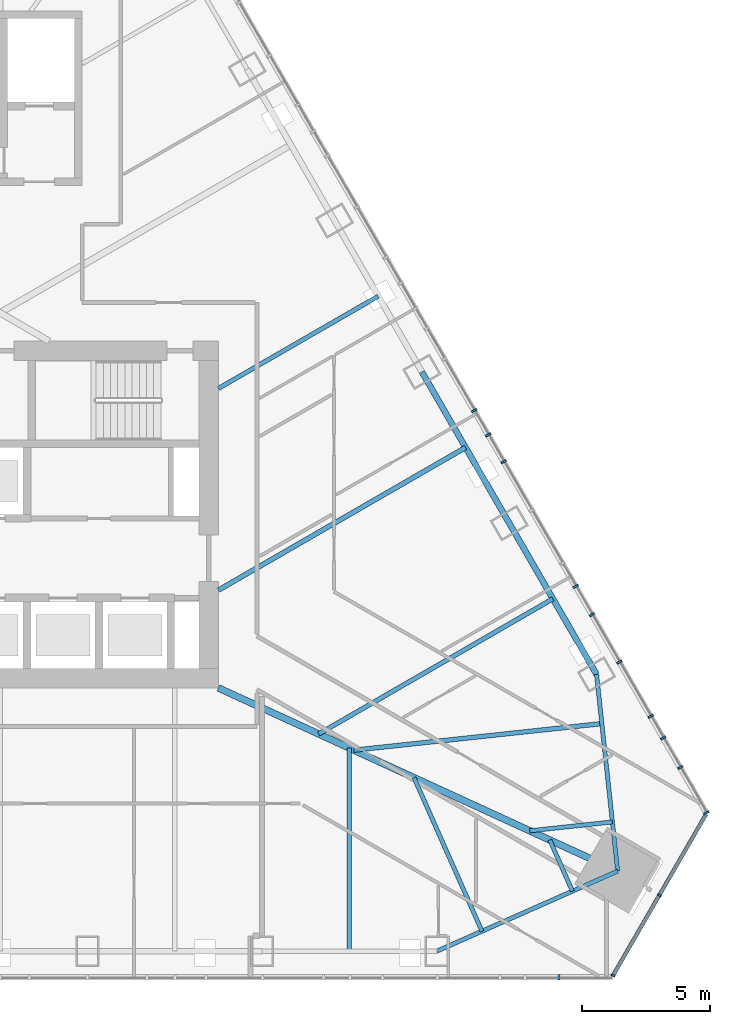
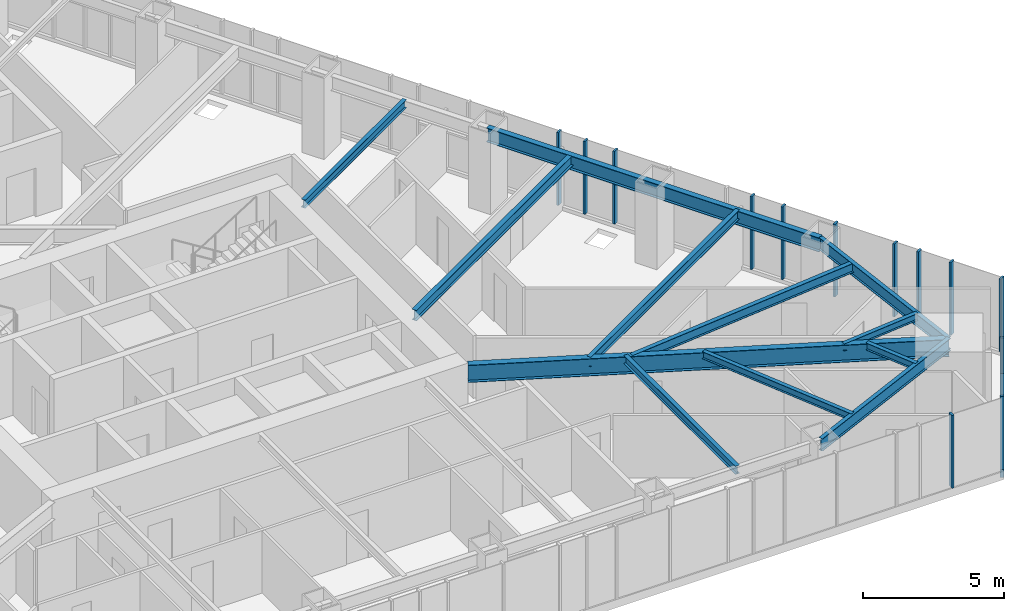
# One storey, part 7 of 19: 15 members, 12 beams, 3 elements without a shape of their own.
"""IFC4 building model written with IfcOpenShell, lengths in metres."""

import ifcopenshell
import ifcopenshell.guid

model = None  # the IFC model being written
_history = None  # IfcOwnerHistory: only IFC2X3 demands one
_inside = {}  # id of a spatial element -> (the spatial element, [elements in it])
_under = {}  # id of a project, library or spatial element -> (it, [spatial elements below it])
_declared = {}  # id of a project -> (the project, [libraries it declares])
_typed = {}  # id of a type object -> (the type object, [elements of that type])
_made_of = {}  # id of a material, layer set ... -> (it, [elements and type objects made of it])


def new_model(schema):
    """Start an empty IFC model of exactly this schema.

    Asked for "IFC4X3", IfcOpenShell would pick the latest addendum, in which some entities
    have other attributes; the version numbers below select the first issue.
    IFC2X3 requires an IfcOwnerHistory on every rooted entity: one is made here for all.
    """
    global model, _history
    if schema == "IFC4X3":
        model = ifcopenshell.file(schema_version=(4, 3, 0, 0))
    else:
        model = ifcopenshell.file(schema=schema)
    _inside.clear()
    _under.clear()
    _declared.clear()
    _typed.clear()
    _made_of.clear()
    _history = None
    if model.schema == "IFC2X3":
        org = make("IfcOrganization", Name="unknown")
        user = make(
            "IfcPersonAndOrganization",
            ThePerson=make("IfcPerson", FamilyName="unknown"),
            TheOrganization=org,
        )
        app = make(
            "IfcApplication",
            ApplicationDeveloper=org,
            Version="unknown",
            ApplicationFullName="unknown",
            ApplicationIdentifier="unknown",
        )
        _history = make(
            "IfcOwnerHistory",
            OwningUser=user,
            OwningApplication=app,
            ChangeAction="ADDED",
            CreationDate=0,
        )
    return model


def make(cls, **values):
    """One entity of the class cls with the attributes given. An attribute that is None is left unset."""
    return model.create_entity(
        cls, **{name: value for name, value in values.items() if value is not None}
    )


def rooted(cls, **values):
    """An entity with a GlobalId (a new one), such as an element, a storey or a relation."""
    return make(cls, GlobalId=ifcopenshell.guid.new(), OwnerHistory=_history, **values)


def si_unit(unit_type, name, prefix=None):
    """IfcSIUnit, for example si_unit("LENGTHUNIT", "METRE", prefix="MILLI")."""
    return make("IfcSIUnit", UnitType=unit_type, Prefix=prefix, Name=name)


def assignment(units):
    """IfcUnitAssignment: the units of a project."""
    return None if units is None else make("IfcUnitAssignment", Units=units)


def point(xyz):
    """IfcCartesianPoint."""
    return None if xyz is None else make("IfcCartesianPoint", Coordinates=xyz)


def direction(xyz):
    """IfcDirection."""
    return None if xyz is None else make("IfcDirection", DirectionRatios=xyz)


def frame(location, z_axis=None, x_axis=None):
    """IfcAxis2Placement3D, a coordinate frame: its origin and axes. An axis left out is left unset."""
    return make(
        "IfcAxis2Placement3D",
        Location=point(location),
        Axis=direction(z_axis),
        RefDirection=direction(x_axis),
    )


def frame_2d(location, x_axis=None):
    """IfcAxis2Placement2D, a coordinate frame in the plane: its origin and x axis."""
    return make(
        "IfcAxis2Placement2D", Location=point(location), RefDirection=direction(x_axis)
    )


def origin():
    """The frame at (0, 0, 0) with its axes left unset."""
    return frame((0.0, 0.0, 0.0))


def origin_2d():
    """The frame at (0, 0) in the plane with its x axis left unset."""
    return frame_2d((0.0, 0.0))


def place(relative_to, where):
    """IfcLocalPlacement: puts the frame where relative to a parent placement (None: the world)."""
    return make(
        "IfcLocalPlacement", PlacementRelTo=relative_to, RelativePlacement=where
    )


def context(
    kind, dimensions, precision=None, world=None, true_north=None, identifier=None
):
    """IfcGeometricRepresentationContext, for example the 3D "Model" context."""
    return make(
        "IfcGeometricRepresentationContext",
        ContextIdentifier=identifier,
        ContextType=kind,
        CoordinateSpaceDimension=dimensions,
        Precision=precision,
        WorldCoordinateSystem=world,
        TrueNorth=true_north,
    )


def subcontext(parent, identifier, kind, view, scale=None):
    """IfcGeometricRepresentationSubContext, for example "Body" below "Model"."""
    return make(
        "IfcGeometricRepresentationSubContext",
        ContextIdentifier=identifier,
        ContextType=kind,
        ParentContext=parent,
        TargetScale=scale,
        TargetView=view,
    )


def project(units=None, contexts=None):
    """IfcProject with its units and contexts."""
    return rooted(
        "IfcProject",
        Name="project",
        RepresentationContexts=contexts,
        UnitsInContext=assignment(units),
    )


def spatial(cls, under=None, at=None, **own):
    """A site, building, storey or space (cls), placed at a placement, below another one or the project."""
    s = rooted(cls, ObjectPlacement=at, **own)
    if under is not None:
        _under.setdefault(under.id(), (under, []))[1].append(s)
    return s


def profile(cls, at=None, kind="AREA", **sizes):
    """A parametric profile (cls). Its sizes go by their IFC names, for example OverallWidth=200.0."""
    return make(cls, ProfileType=kind, Position=at, **sizes)


def rectangle(**sizes):
    """IfcRectangleProfileDef."""
    return profile("IfcRectangleProfileDef", **sizes)


def i_section(**sizes):
    """IfcIShapeProfileDef."""
    return profile("IfcIShapeProfileDef", **sizes)


def extrude(swept, where, along, depth):
    """IfcExtrudedAreaSolid: the profile swept, set in the frame where, extruded along a direction by depth."""
    return make(
        "IfcExtrudedAreaSolid",
        SweptArea=swept,
        Position=where,
        ExtrudedDirection=direction(along),
        Depth=depth,
    )


def shape(context_of_items, identifier, shape_type, items):
    """IfcShapeRepresentation: the items that make up one representation, for example the "Body"."""
    return make(
        "IfcShapeRepresentation",
        ContextOfItems=context_of_items,
        RepresentationIdentifier=identifier,
        RepresentationType=shape_type,
        Items=items,
    )


def material(Name=None, Category=None):
    """IfcMaterial."""
    return make("IfcMaterial", Name=Name, Category=Category)


def layer(
    of_material, thickness, ventilated=None, Name=None, Category=None, Priority=None
):
    """IfcMaterialLayer: one layer of a wall or slab, of a material (None: an air gap)."""
    return make(
        "IfcMaterialLayer",
        Material=of_material,
        LayerThickness=thickness,
        IsVentilated=ventilated,
        Name=Name,
        Category=Category,
        Priority=Priority,
    )


def layer_set(layers, Name=None):
    """IfcMaterialLayerSet."""
    return make("IfcMaterialLayerSet", MaterialLayers=layers, LayerSetName=Name)


def material_profile(
    of_material, cross_section, Name=None, Category=None, Priority=None
):
    """IfcMaterialProfile: a cross section and its material."""
    return make(
        "IfcMaterialProfile",
        Name=Name,
        Material=of_material,
        Profile=cross_section,
        Priority=Priority,
        Category=Category,
    )


def profile_set(profiles, Name=None, composite=None):
    """IfcMaterialProfileSet."""
    return make(
        "IfcMaterialProfileSet",
        Name=Name,
        MaterialProfiles=profiles,
        CompositeProfile=composite,
    )


def made_of(thing, what):
    """Note that an element or type object is made of a material, layer set ...; save() writes the relation."""
    if what is not None:
        _made_of.setdefault(what.id(), (what, []))[1].append(thing)
    return thing


def type_object(cls, material=None, **own):
    """A type object (cls), such as IfcWallType, which elements share."""
    return made_of(rooted(cls, **own), material)


def element(
    cls,
    number,
    at=None,
    inside=None,
    cuts=None,
    type_object=None,
    material=None,
    context=None,
    identifier="Body",
    shape_type=None,
    held_by="IfcProductDefinitionShape",
    body=None,
    shapes=None,
    **own,
):
    """One element of the class cls, such as IfcWall. Its Tag is "e" and its number.

    at: its placement. inside: the storey or other place that contains it. cuts: it is an
    opening in that element (IfcRelVoidsElement). A single representation is given by context,
    identifier, shape_type and body (its items); several are given by shapes. held_by: the class
    of the entity that holds the representations. save() writes the other relations.
    """
    e = rooted(cls, Tag="e%d" % number, ObjectPlacement=at, **own)
    if body is not None:
        shapes = [shape(context, identifier, shape_type, body)]
    if shapes is not None:
        e.Representation = make(held_by, Representations=shapes)
    if inside is not None:
        _inside.setdefault(inside.id(), (inside, []))[1].append(e)
    if cuts is not None:
        rooted(
            "IfcRelVoidsElement", RelatingBuildingElement=cuts, RelatedOpeningElement=e
        )
    if type_object is not None:
        _typed.setdefault(type_object.id(), (type_object, []))[1].append(e)
    return made_of(e, material)


def aggregate(whole, parts):
    """IfcRelAggregates: a whole, such as a stair, and the parts it consists of."""
    return rooted("IfcRelAggregates", RelatingObject=whole, RelatedObjects=parts)


def save(model, path):
    """Write the relations noted so far, then the file.

    IfcRelAggregates (storeys below a building ...), IfcRelContainedInSpatialStructure (elements
    in a storey), IfcRelDefinesByType, IfcRelAssociatesMaterial and IfcRelDeclares: one each for
    every whole, place, type object, material and project.
    """
    for whole, parts in _under.values():
        aggregate(whole, parts)
    for where, things in _inside.values():
        rooted(
            "IfcRelContainedInSpatialStructure",
            RelatedElements=things,
            RelatingStructure=where,
        )
    for kind, things in _typed.values():
        rooted("IfcRelDefinesByType", RelatedObjects=things, RelatingType=kind)
    for what, things in _made_of.values():
        rooted("IfcRelAssociatesMaterial", RelatedObjects=things, RelatingMaterial=what)
    for by, libraries in _declared.values():
        rooted("IfcRelDeclares", RelatingContext=by, RelatedDefinitions=libraries)
    model.write(path)


model = new_model("IFC4")

# Units and contexts
model_context = context("Model", 3, precision=1e-05, world=origin(), true_north=direction((0.0, 1.0)))
body_context = subcontext(model_context, "Body", "Model", "MODEL_VIEW")
ifc_project = project(units=[si_unit("LENGTHUNIT", "METRE"), si_unit("AREAUNIT", "SQUARE_METRE"), si_unit("VOLUMEUNIT", "CUBIC_METRE"), si_unit("PLANEANGLEUNIT", "RADIAN"), si_unit("MASSUNIT", "GRAM", prefix="KILO")], contexts=[model_context])

# Site, building, storey
site_placement = place(None, origin())
site = spatial("IfcSite", under=ifc_project, at=site_placement, CompositionType="ELEMENT")
building_placement = place(site_placement, origin())
building = spatial("IfcBuilding", under=site, at=building_placement, Name="Firuza Gate Tower and Library", CompositionType="ELEMENT")
storey_placement = place(building_placement, frame((0.0, 0.0, 256.60009765625)))
storey = spatial("IfcBuildingStorey", under=building, at=storey_placement, Name="L60", CompositionType="ELEMENT", Elevation=256.60009765625)

# Curtain wall, members
ifc_material_1 = material(Name="Aluminium 6063-T6", Category="aluminium")
ifc_layer_1 = layer(ifc_material_1, 0.14990234375)
ifc_layer_set_1 = layer_set([ifc_layer_1], Name="Corner curtain wall, chamfers")
curtain_wall_type_1 = type_object("IfcCurtainWallType", Name="Corner curtain wall, chamfers", PredefinedType="NOTDEFINED", material=ifc_layer_set_1)
placement = place(storey_placement, origin())
curtain_wall_1 = element("IfcCurtainWall", 1, at=placement, inside=storey, type_object=curtain_wall_type_1, Name="CW4 L60 SE corner", PredefinedType="NOTDEFINED")
ifc_material_2 = material(Name="Aluminium 6063-T6", Category="aluminium")
ifc_material_profile_1 = material_profile(ifc_material_2, rectangle(XDim=0.14990234375, YDim=0.080078125, at=origin_2d()))
ifc_profile_set_1 = profile_set([ifc_material_profile_1], Name="Aluminium 6063-T6")
member_type_1 = type_object("IfcMemberType", Name="Curtain wall mullion 80x150", PredefinedType="MULLION", material=ifc_profile_set_1)
member_1_placement = place(storey_placement, frame((98.86328125, 57.061767578125, 0.14990234375), z_axis=(0.0, 0.0, 1.0), x_axis=(-0.866025403784, 0.5, 0.0)))
member_1 = element("IfcMember", 2, at=member_1_placement, type_object=member_type_1, Name="Mullion", PredefinedType="MULLION", context=body_context, shape_type="SweptSolid", body=[
    extrude(rectangle(XDim=0.14990234375, YDim=0.080078125, at=origin_2d()), origin(), (0.0, 0.0, 1.0), 3.14990234375),
])
member_2_placement = place(storey_placement, frame((100.6650390625, 60.182373046875, 0.14990234375), z_axis=(0.0, 0.0, 1.0), x_axis=(-0.866025403784, 0.5, 0.0)))
member_2 = element("IfcMember", 3, at=member_2_placement, type_object=member_type_1, Name="Mullion", PredefinedType="MULLION", context=body_context, shape_type="SweptSolid", body=[
    extrude(rectangle(XDim=0.14990234375, YDim=0.080078125, at=origin_2d()), origin(), (0.0, 0.0, 1.0), 3.14990234375),
])

# Curtain wall, member
ifc_material_3 = material(Name="Aluminium 6063-T6", Category="aluminium")
ifc_layer_2 = layer(ifc_material_3, 0.14990234375)
ifc_layer_set_2 = layer_set([ifc_layer_2], Name="Unitised curtain wall, residences")
curtain_wall_type_2 = type_object("IfcCurtainWallType", Name="Unitised curtain wall, residences", PredefinedType="NOTDEFINED", material=ifc_layer_set_2)
curtain_wall_2 = element("IfcCurtainWall", 4, at=placement, inside=storey, type_object=curtain_wall_type_2, Name="CW3 L60 S face", PredefinedType="NOTDEFINED")
ifc_material_4 = material(Name="Aluminium 6063-T6", Category="aluminium")
ifc_material_profile_2 = material_profile(ifc_material_4, rectangle(XDim=0.219970703125, YDim=0.080078125, at=origin_2d()))
ifc_profile_set_2 = profile_set([ifc_material_profile_2], Name="Aluminium 6063-T6")
member_type_2 = type_object("IfcMemberType", Name="Curtain wall mullion 80x220", PredefinedType="MULLION", material=ifc_profile_set_2)
member_3_placement = place(storey_placement, frame((96.76416015625, 56.9921875, 0.14990234375), z_axis=(0.0, 0.0, 1.0), x_axis=(0.0, 1.0, 0.0)))
member_3 = element("IfcMember", 5, at=member_3_placement, type_object=member_type_2, Name="Mullion", PredefinedType="MULLION", context=body_context, shape_type="SweptSolid", body=[
    extrude(rectangle(XDim=0.219970703125, YDim=0.080078125, at=origin_2d()), origin(), (0.0, 0.0, 1.0), 3.14990234375),
])
aggregate(curtain_wall_2, [member_3])

# Curtain wall, members
curtain_wall_3 = element("IfcCurtainWall", 6, at=placement, inside=storey, type_object=curtain_wall_type_2, Name="CW3 L60 E face", PredefinedType="NOTDEFINED")
member_4_placement = place(storey_placement, frame((102.496826171875, 63.3896484375, 0.14990234375), z_axis=(0.0, 0.0, 1.0), x_axis=(-0.866025403784, -0.5, 0.0)))
member_4 = element("IfcMember", 7, at=member_4_placement, type_object=member_type_2, Name="Mullion", PredefinedType="MULLION", context=body_context, shape_type="SweptSolid", body=[
    extrude(rectangle(XDim=0.219970703125, YDim=0.080078125, at=origin_2d()), origin(), (0.0, 0.0, 1.0), 3.14990234375),
])
member_5_placement = place(storey_placement, frame((100.813720703125, 66.304931640625, 0.14990234375), z_axis=(0.0, 0.0, 1.0), x_axis=(-0.866025403784, -0.5, 0.0)))
member_5 = element("IfcMember", 8, at=member_5_placement, type_object=member_type_2, Name="Mullion", PredefinedType="MULLION", context=body_context, shape_type="SweptSolid", body=[
    extrude(rectangle(XDim=0.219970703125, YDim=0.080078125, at=origin_2d()), origin(), (0.0, 0.0, 1.0), 3.14990234375),
])
member_6_placement = place(storey_placement, frame((99.11083984375, 69.254638671875, 0.14990234375), z_axis=(0.0, 0.0, 1.0), x_axis=(-0.866025403784, -0.5, 0.0)))
member_6 = element("IfcMember", 9, at=member_6_placement, type_object=member_type_2, Name="Mullion", PredefinedType="MULLION", context=body_context, shape_type="SweptSolid", body=[
    extrude(rectangle(XDim=0.219970703125, YDim=0.080078125, at=origin_2d()), origin(), (0.0, 0.0, 1.0), 3.14990234375),
])
member_7_placement = place(storey_placement, frame((97.40771484375, 72.20458984375, 0.14990234375), z_axis=(0.0, 0.0, 1.0), x_axis=(-0.866025403784, -0.5, 0.0)))
member_7 = element("IfcMember", 10, at=member_7_placement, type_object=member_type_2, Name="Mullion", PredefinedType="MULLION", context=body_context, shape_type="SweptSolid", body=[
    extrude(rectangle(XDim=0.219970703125, YDim=0.080078125, at=origin_2d()), origin(), (0.0, 0.0, 1.0), 3.14990234375),
])
member_8_placement = place(storey_placement, frame((94.00146484375, 78.104248046875, 0.14990234375), z_axis=(0.0, 0.0, 1.0), x_axis=(-0.866025403784, -0.5, 0.0)))
member_8 = element("IfcMember", 11, at=member_8_placement, type_object=member_type_2, Name="Mullion", PredefinedType="MULLION", context=body_context, shape_type="SweptSolid", body=[
    extrude(rectangle(XDim=0.219970703125, YDim=0.080078125, at=origin_2d()), origin(), (0.0, 0.0, 1.0), 3.14990234375),
])
member_9_placement = place(storey_placement, frame((101.477294921875, 65.15576171875, 0.14990234375), z_axis=(0.0, 0.0, 1.0), x_axis=(-0.866025403784, -0.5, 0.0)))
member_9 = element("IfcMember", 12, at=member_9_placement, type_object=member_type_2, Name="Mullion", PredefinedType="MULLION", context=body_context, shape_type="SweptSolid", body=[
    extrude(rectangle(XDim=0.219970703125, YDim=0.080078125, at=origin_2d()), origin(), (0.0, 0.0, 1.0), 3.14990234375),
])
member_10_placement = place(storey_placement, frame((100.32763671875, 67.147216796875, 0.14990234375), z_axis=(0.0, 0.0, 1.0), x_axis=(-0.866025403784, -0.5, 0.0)))
member_10 = element("IfcMember", 13, at=member_10_placement, type_object=member_type_2, Name="Mullion", PredefinedType="MULLION", context=body_context, shape_type="SweptSolid", body=[
    extrude(rectangle(XDim=0.219970703125, YDim=0.080078125, at=origin_2d()), origin(), (0.0, 0.0, 1.0), 3.14990234375),
])
member_11_placement = place(storey_placement, frame((98.04150390625, 71.1064453125, 0.14990234375), z_axis=(0.0, 0.0, 1.0), x_axis=(-0.866025403784, -0.5, 0.0)))
member_11 = element("IfcMember", 14, at=member_11_placement, type_object=member_type_2, Name="Mullion", PredefinedType="MULLION", context=body_context, shape_type="SweptSolid", body=[
    extrude(rectangle(XDim=0.219970703125, YDim=0.080078125, at=origin_2d()), origin(), (0.0, 0.0, 1.0), 3.14990234375),
])
member_12_placement = place(storey_placement, frame((94.60595703125, 77.057373046875, 0.14990234375), z_axis=(0.0, 0.0, 1.0), x_axis=(-0.866025403784, -0.5, 0.0)))
member_12 = element("IfcMember", 15, at=member_12_placement, type_object=member_type_2, Name="Mullion", PredefinedType="MULLION", context=body_context, shape_type="SweptSolid", body=[
    extrude(rectangle(XDim=0.219970703125, YDim=0.080078125, at=origin_2d()), origin(), (0.0, 0.0, 1.0), 3.14990234375),
])
member_13_placement = place(storey_placement, frame((93.4560546875, 79.048828125, 0.14990234375), z_axis=(0.0, 0.0, 1.0), x_axis=(-0.866025403784, -0.5, 0.0)))
member_13 = element("IfcMember", 16, at=member_13_placement, type_object=member_type_2, Name="Mullion", PredefinedType="MULLION", context=body_context, shape_type="SweptSolid", body=[
    extrude(rectangle(XDim=0.219970703125, YDim=0.080078125, at=origin_2d()), origin(), (0.0, 0.0, 1.0), 3.14990234375),
])
aggregate(curtain_wall_3, [member_4, member_5, member_6, member_7, member_8, member_9, member_10, member_11, member_12, member_13])

# Member
ifc_material_5 = material(Name="Aluminium 6063-T6", Category="aluminium")
ifc_material_profile_3 = material_profile(ifc_material_5, rectangle(XDim=0.14990234375, YDim=0.35009765625, at=origin_2d()))
ifc_profile_set_3 = profile_set([ifc_material_profile_3], Name="Aluminium 6063-T6")
member_type_3 = type_object("IfcMemberType", Name="Curtain wall transom 350x150", PredefinedType="USERDEFINED", material=ifc_profile_set_3)
member_14_placement = place(storey_placement, frame((98.84326171875, 57.027099609375, -0.025146484375), z_axis=(0.499991211061, 0.866030478021, 0.0), x_axis=(-0.866030478021, 0.499991211061, 0.0)))
member_14 = element("IfcMember", 17, at=member_14_placement, type_object=member_type_3, Name="Transom", ObjectType="TRANSOM", PredefinedType="USERDEFINED", context=body_context, shape_type="SweptSolid", body=[
    extrude(rectangle(XDim=0.14990234375, YDim=0.35009765625, at=origin_2d()), origin(), (0.0, 0.0, 1.0), 7.286865234375),
])

ifc_material_6 = material(Name="Aluminium 6063-T6", Category="aluminium")
ifc_material_profile_4 = material_profile(ifc_material_6, rectangle(XDim=0.14990234375, YDim=0.080078125, at=origin_2d()))
ifc_profile_set_4 = profile_set([ifc_material_profile_4], Name="Aluminium 6063-T6")
member_type_4 = type_object("IfcMemberType", Name="Curtain wall transom 80x150", PredefinedType="USERDEFINED", material=ifc_profile_set_4)
member_15_placement = place(storey_placement, frame((98.86328125, 57.061767578125, 1.724853515625), z_axis=(0.500015035186, 0.866016723041, 0.0), x_axis=(-0.866016723041, 0.500015035186, 0.0)))
member_15 = element("IfcMember", 18, at=member_15_placement, type_object=member_type_4, Name="Transom", ObjectType="TRANSOM", PredefinedType="USERDEFINED", context=body_context, shape_type="SweptSolid", body=[
    extrude(rectangle(XDim=0.14990234375, YDim=0.080078125, at=origin_2d()), origin(), (0.0, 0.0, 1.0), 3.5634765625),
])

aggregate(curtain_wall_1, [member_1, member_2, member_14, member_15])

# Beams
ifc_material_7 = material(Name="Steel S355", Category="steel")
ifc_material_profile_5 = material_profile(ifc_material_7, i_section(OverallWidth=0.1650390625, OverallDepth=0.31005859375, WebThickness=0.005859375, FlangeThickness=0.009765625, at=origin_2d()))
ifc_profile_set_5 = profile_set([ifc_material_profile_5], Name="Steel S355")
beam_type_1 = type_object("IfcBeamType", Name="W310x39 Floor beam", PredefinedType="JOIST", material=ifc_profile_set_5)
beam_1_placement = place(storey_placement, frame((93.76025390625, 58.781494140625, 3.14501953125), z_axis=(-0.404862345523, 0.914377646915, 0.0), x_axis=(-0.914377646915, -0.404862345523, 0.0)))
element("IfcBeam", 19, at=beam_1_placement, inside=storey, type_object=beam_type_1, Name="Floor beam L60 s30", PredefinedType="JOIST", context=body_context, shape_type="SweptSolid", body=[
    extrude(i_section(OverallWidth=0.1650390625, OverallDepth=0.31005859375, WebThickness=0.005859375, FlangeThickness=0.009765625, at=origin_2d()), origin(), (0.0, 0.0, 1.0), 6.534423828125),
])
beam_2_placement = place(storey_placement, frame((97.28076171875, 60.34033203125, 3.14501953125), z_axis=(-0.404848514382, 0.914383770855, 0.0), x_axis=(-0.914383770855, -0.404848514382, 0.0)))
element("IfcBeam", 20, at=beam_2_placement, inside=storey, type_object=beam_type_1, Name="Floor beam L60 s31", PredefinedType="JOIST", context=body_context, shape_type="SweptSolid", body=[
    extrude(i_section(OverallWidth=0.1650390625, OverallDepth=0.31005859375, WebThickness=0.005859375, FlangeThickness=0.009765625, at=origin_2d()), origin(), (0.0, 0.0, 1.0), 2.17822265625),
])
beam_3_placement = place(storey_placement, frame((98.8359375, 63.033935546875, 3.14501953125), z_axis=(-0.994311438284, -0.106511800745, 0.0), x_axis=(0.106511800745, -0.994311438284, 0.0)))
element("IfcBeam", 21, at=beam_3_placement, inside=storey, type_object=beam_type_1, Name="Floor beam L60 s40", PredefinedType="JOIST", context=body_context, shape_type="SweptSolid", body=[
    extrude(i_section(OverallWidth=0.1650390625, OverallDepth=0.31005859375, WebThickness=0.005859375, FlangeThickness=0.009765625, at=origin_2d()), origin(), (0.0, 0.0, 1.0), 3.234130859375),
])
ifc_material_8 = material(Name="Steel S355", Category="steel")
ifc_material_profile_6 = material_profile(ifc_material_8, i_section(OverallWidth=0.1708984375, OverallDepth=0.35498046875, WebThickness=0.007080078125, FlangeThickness=0.01171875, at=origin_2d()))
ifc_profile_set_6 = profile_set([ifc_material_profile_6], Name="Steel S355")
beam_type_2 = type_object("IfcBeamType", Name="W360x51 Floor beam", PredefinedType="JOIST", material=ifc_profile_set_6)
beam_4_placement = place(storey_placement, frame((88.60009765625, 58.002197265625, 3.122314453125), z_axis=(0.0, 1.0, 0.0), x_axis=(-1.0, 0.0, 0.0)))
element("IfcBeam", 22, at=beam_4_placement, inside=storey, type_object=beam_type_2, Name="Floor beam L60 s24", PredefinedType="JOIST", context=body_context, shape_type="SweptSolid", body=[
    extrude(i_section(OverallWidth=0.1708984375, OverallDepth=0.35498046875, WebThickness=0.007080078125, FlangeThickness=0.01171875, at=origin_2d()), origin(), (0.0, 0.0, 1.0), 7.907958984375),
])
beam_5_placement = place(storey_placement, frame((89.720458984375, 83.4990234375, 3.122314453125), z_axis=(-0.866015211635, -0.500017652905, 0.0), x_axis=(0.500017652905, -0.866015211635, 0.0)))
element("IfcBeam", 23, at=beam_5_placement, inside=storey, type_object=beam_type_2, Name="Floor beam L60 s52", PredefinedType="JOIST", context=body_context, shape_type="SweptSolid", body=[
    extrude(i_section(OverallWidth=0.1708984375, OverallDepth=0.35498046875, WebThickness=0.007080078125, FlangeThickness=0.01171875, at=origin_2d()), origin(), (0.0, 0.0, 1.0), 7.182861328125),
])
ifc_material_9 = material(Name="Steel S355", Category="steel")
ifc_material_profile_7 = material_profile(ifc_material_9, i_section(OverallWidth=0.177978515625, OverallDepth=0.406982421875, WebThickness=0.0078125, FlangeThickness=0.0126953125, at=origin_2d()))
ifc_profile_set_7 = profile_set([ifc_material_profile_7], Name="Steel S355")
beam_type_3 = type_object("IfcBeamType", Name="W410x60 Floor beam", PredefinedType="JOIST", material=ifc_profile_set_7)
beam_6_placement = place(storey_placement, frame((98.42578125, 66.8623046875, 3.096435546875), z_axis=(-0.994306107406, -0.106561553924, 0.0), x_axis=(0.106561553924, -0.994306107406, 0.0)))
element("IfcBeam", 24, at=beam_6_placement, inside=storey, type_object=beam_type_3, Name="Floor beam L60 s41", PredefinedType="JOIST", context=body_context, shape_type="SweptSolid", body=[
    extrude(i_section(OverallWidth=0.177978515625, OverallDepth=0.406982421875, WebThickness=0.0078125, FlangeThickness=0.0126953125, at=origin_2d()), origin(), (0.0, 0.0, 1.0), 9.70263671875),
])
beam_7_placement = place(storey_placement, frame((96.5205078125, 71.720947265625, 3.096435546875), z_axis=(-0.866024898077, -0.500000875909, 0.0), x_axis=(0.500000875909, -0.866024898077, 0.0)))
element("IfcBeam", 25, at=beam_7_placement, inside=storey, type_object=beam_type_3, Name="Floor beam L60 s50", PredefinedType="JOIST", context=body_context, shape_type="SweptSolid", body=[
    extrude(i_section(OverallWidth=0.177978515625, OverallDepth=0.406982421875, WebThickness=0.0078125, FlangeThickness=0.0126953125, at=origin_2d()), origin(), (0.0, 0.0, 1.0), 10.525390625),
])
ifc_material_10 = material(Name="Steel S355", Category="steel")
ifc_material_profile_8 = material_profile(ifc_material_10, i_section(OverallWidth=0.18994140625, OverallDepth=0.45703125, WebThickness=0.009033203125, FlangeThickness=0.014404296875, at=origin_2d()))
ifc_profile_set_8 = profile_set([ifc_material_profile_8], Name="Steel S355")
beam_type_4 = type_object("IfcBeamType", Name="W460x74 Floor beam", PredefinedType="JOIST", material=ifc_profile_set_8)
beam_8_placement = place(storey_placement, frame((93.12060546875, 77.60986328125, 3.0712890625), z_axis=(-0.866026019563, -0.499998933439, 0.0), x_axis=(0.499998933439, -0.866026019563, 0.0)))
element("IfcBeam", 26, at=beam_8_placement, inside=storey, type_object=beam_type_4, Name="Floor beam L60 s51", PredefinedType="JOIST", context=body_context, shape_type="SweptSolid", body=[
    extrude(i_section(OverallWidth=0.18994140625, OverallDepth=0.45703125, WebThickness=0.009033203125, FlangeThickness=0.014404296875, at=origin_2d()), origin(), (0.0, 0.0, 1.0), 11.10888671875),
])
ifc_material_11 = material(Name="Steel S355", Category="steel")
ifc_material_profile_9 = material_profile(ifc_material_11, i_section(OverallWidth=0.166015625, OverallDepth=0.534912109375, WebThickness=0.01025390625, FlangeThickness=0.0166015625, at=origin_2d()))
ifc_profile_set_9 = profile_set([ifc_material_profile_9], Name="Steel S355")
beam_type_5 = type_object("IfcBeamType", Name="W530x85 Edge beam", PredefinedType="SPANDREL", material=ifc_profile_set_9)
for number, where, z_axis, x_axis, name in (
    (27, (92.0, 58.002197265625, 3.032470703125), (0.914378062231, 0.404861407534, 0.0), (-0.404861407534, 0.914378062231, 0.0), "Edge beam L60 e30"),
    (28, (99.041259765625, 61.119873046875, 3.032470703125), (-0.106589095348, 0.994303155357, 0.0), (-0.994303155357, -0.106589095348, 0.0), "Edge beam L60 e40"),
):
    element("IfcBeam", number, at=place(storey_placement, frame(where, z_axis=z_axis, x_axis=x_axis)), inside=storey, type_object=beam_type_5, Name=name, PredefinedType="SPANDREL", context=body_context, shape_type="SweptSolid", body=[
        extrude(i_section(OverallWidth=0.166015625, OverallDepth=0.534912109375, WebThickness=0.01025390625, FlangeThickness=0.0166015625, at=origin_2d()), origin(), (0.0, 0.0, 1.0), 7.70068359375),
    ])
ifc_material_12 = material(Name="Steel S355", Category="steel")
ifc_material_profile_10 = material_profile(ifc_material_12, i_section(OverallWidth=0.22900390625, OverallDepth=0.612060546875, WebThickness=0.011962890625, FlangeThickness=0.01953125, at=origin_2d()))
ifc_profile_set_10 = profile_set([ifc_material_profile_10], Name="Steel S355")
beam_type_6 = type_object("IfcBeamType", Name="W610x125 Edge beam", PredefinedType="SPANDREL", material=ifc_profile_set_10)
beam_9_placement = place(storey_placement, frame((98.220458984375, 68.776611328125, 2.993896484375), z_axis=(-0.499992841449, 0.866029536736, 0.0), x_axis=(-0.866029536736, -0.499992841449, 0.0)))
element("IfcBeam", 29, at=beam_9_placement, inside=storey, type_object=beam_type_6, Name="Edge beam L60 e50", PredefinedType="SPANDREL", context=body_context, shape_type="SweptSolid", body=[
    extrude(i_section(OverallWidth=0.22900390625, OverallDepth=0.612060546875, WebThickness=0.011962890625, FlangeThickness=0.01953125, at=origin_2d()), origin(), (0.0, 0.0, 1.0), 13.599853515625),
])
ifc_material_13 = material(Name="Steel S355", Category="steel")
ifc_material_profile_11 = material_profile(ifc_material_13, i_section(OverallWidth=0.264892578125, OverallDepth=0.7529296875, WebThickness=0.01318359375, FlangeThickness=0.01708984375, at=origin_2d()))
ifc_profile_set_11 = profile_set([ifc_material_profile_11], Name="Steel S355")
beam_type_7 = type_object("IfcBeamType", Name="W760x147 Girder", PredefinedType="BEAM", material=ifc_profile_set_11)
beam_10_placement = place(storey_placement, frame((99.041259765625, 61.119873046875, 2.92333984375), z_axis=(-0.908908599986, 0.416995391907, 0.0), x_axis=(-0.416995391907, -0.908908599986, 0.0)))
element("IfcBeam", 30, at=beam_10_placement, inside=storey, type_object=beam_type_7, Name="Girder L60 gSE", PredefinedType="BEAM", context=body_context, shape_type="SweptSolid", body=[
    extrude(i_section(OverallWidth=0.264892578125, OverallDepth=0.7529296875, WebThickness=0.01318359375, FlangeThickness=0.01708984375, at=origin_2d()), origin(), (0.0, 0.0, 1.0), 17.098876953125),
])

save(model, "model.ifc")
